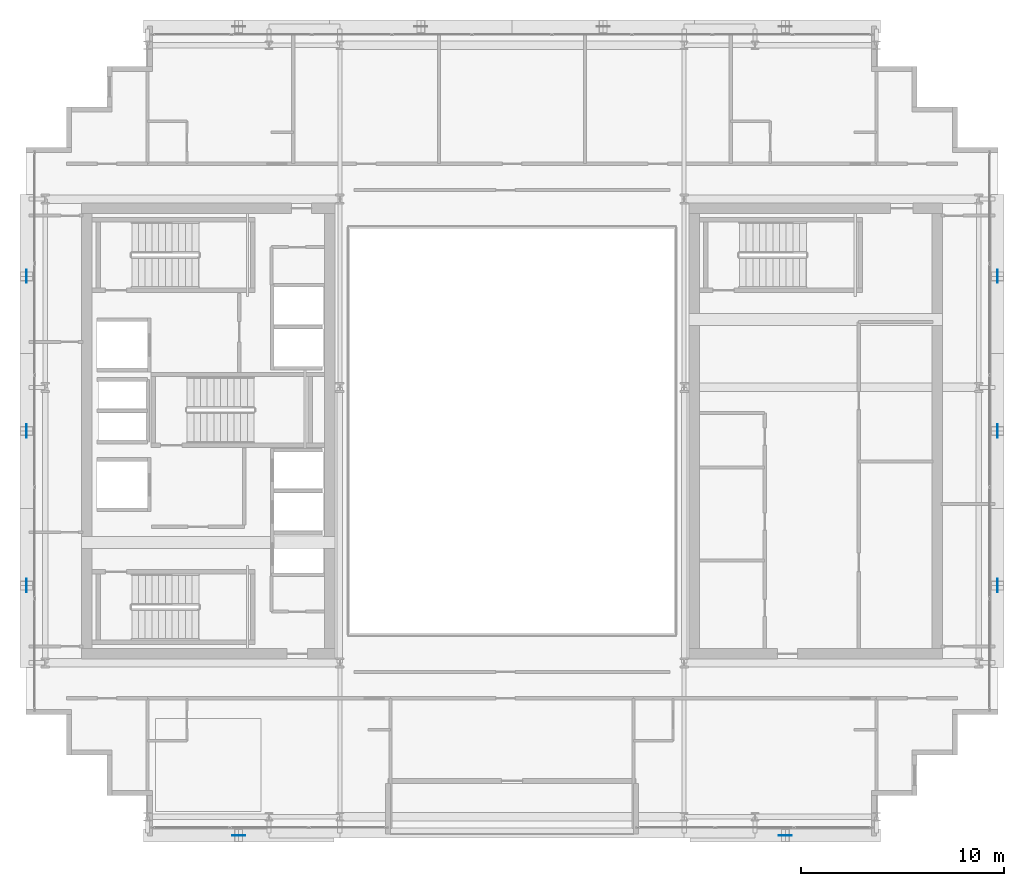
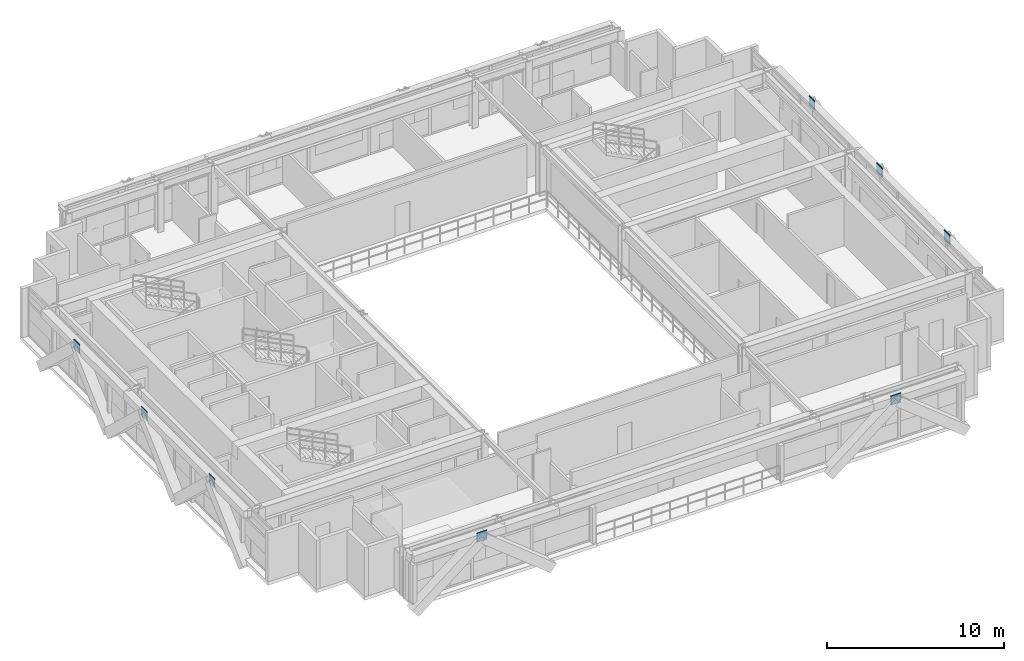
# One storey, part 22 of 30: 8 plates.
"""IFC4 building model written with IfcOpenShell, lengths in metres."""

from ifc_helpers import new_model, si_unit, direction, frame, origin, origin_2d, place, context, subcontext, project, spatial, rectangle, extrude, source, transform, mapped, material, layer, layer_set, type_object, element, save


model = new_model("IFC4")

# Units and contexts
model_context = context("Model", 3, precision=1e-05, world=origin(), true_north=direction((0.0, 1.0)))
body_context = subcontext(model_context, "Body", "Model", "MODEL_VIEW")
ifc_project = project(units=[si_unit("LENGTHUNIT", "METRE"), si_unit("AREAUNIT", "SQUARE_METRE"), si_unit("VOLUMEUNIT", "CUBIC_METRE"), si_unit("PLANEANGLEUNIT", "RADIAN"), si_unit("MASSUNIT", "GRAM", prefix="KILO")], contexts=[model_context])

# Site, building, storey
site_placement = place(None, origin())
site = spatial("IfcSite", under=ifc_project, at=site_placement, CompositionType="ELEMENT")
building_placement = place(site_placement, origin())
building = spatial("IfcBuilding", under=site, at=building_placement, Name="Ocotamira Hotel", CompositionType="ELEMENT")
storey_placement = place(building_placement, frame((0.0, 0.0, 195.60009765625)))
storey = spatial("IfcBuildingStorey", under=building, at=storey_placement, Name="L49", CompositionType="ELEMENT", Elevation=195.60009765625)

# Plates
ifc_material = material(Name="Pale-metal coated steel ASTM A572 Grade 50", Category="steel")
ifc_layer = layer(ifc_material, 0.0400390625)
ifc_layer_set = layer_set([ifc_layer], Name="Pale-metal coated steel ASTM A572 Grade 50")
plate_type = type_object("IfcPlateType", Name="PLT-GUSSET-40", PredefinedType="SHEET", material=ifc_layer_set)
shared_shape_1 = source(origin(), body_context, "Body", "SweptSolid", [
    extrude(rectangle(XDim=0.64990234375, YDim=0.0400390625, at=origin_2d()), origin(), (0.0, 0.0, 1.0), 0.64990234375),
])
for number, where, z_axis, x_axis, name in (
    (1, (18.5, 6.030029296875, 2.794921875), (0.0, 0.0, 1.0), (1.0, 0.0, 0.0), "L49 Exoskeleton Diagrid S0.1 End Gusset B"),
    (2, (45.5, 6.030029296875, 2.794921875), (0.0, 0.0, 1.0), (1.0, 0.0, 0.0), "L49 Exoskeleton Diagrid S3.1 End Gusset B"),
):
    element("IfcPlate", number, at=place(storey_placement, frame(where, z_axis=z_axis, x_axis=x_axis)), inside=storey, type_object=plate_type, Name=name, PredefinedType="SHEET", context=body_context, shape_type="MappedRepresentation", body=[
        mapped(shared_shape_1, transform((0.0, 0.0, 0.0), scale=1.0)),
    ])
shared_shape_2 = source(origin(), body_context, "Body", "SweptSolid", [
    extrude(rectangle(XDim=0.0400390625, YDim=0.64990234375, at=origin_2d()), origin(), (0.0, 0.0, 1.0), 0.64990234375),
])
for number, where, z_axis, x_axis, name in (
    (3, (8.030029296875, 18.36669921875, 2.794921875), (0.0, 0.0, 1.0), (1.0, 0.0, 0.0), "L49 Exoskeleton Diagrid W0.1 End Gusset B"),
    (4, (8.030029296875, 26.0, 2.794921875), (0.0, 0.0, 1.0), (1.0, 0.0, 0.0), "L49 Exoskeleton Diagrid W1.1 End Gusset B"),
    (5, (8.030029296875, 33.63330078125, 2.794921875), (0.0, 0.0, 1.0), (1.0, 0.0, 0.0), "L49 Exoskeleton Diagrid W2.1 End Gusset B"),
    (6, (55.969970703125, 18.36669921875, 2.794921875), (0.0, 0.0, 1.0), (1.0, 0.0, 0.0), "L49 Exoskeleton Diagrid E0.1 End Gusset B"),
    (7, (55.969970703125, 26.0, 2.794921875), (0.0, 0.0, 1.0), (1.0, 0.0, 0.0), "L49 Exoskeleton Diagrid E1.1 End Gusset B"),
    (8, (55.969970703125, 33.63330078125, 2.794921875), (0.0, 0.0, 1.0), (1.0, 0.0, 0.0), "L49 Exoskeleton Diagrid E2.1 End Gusset B"),
):
    element("IfcPlate", number, at=place(storey_placement, frame(where, z_axis=z_axis, x_axis=x_axis)), inside=storey, type_object=plate_type, Name=name, PredefinedType="SHEET", context=body_context, shape_type="MappedRepresentation", body=[
        mapped(shared_shape_2, transform((0.0, 0.0, 0.0), scale=1.0)),
    ])

save(model, "model.ifc")
